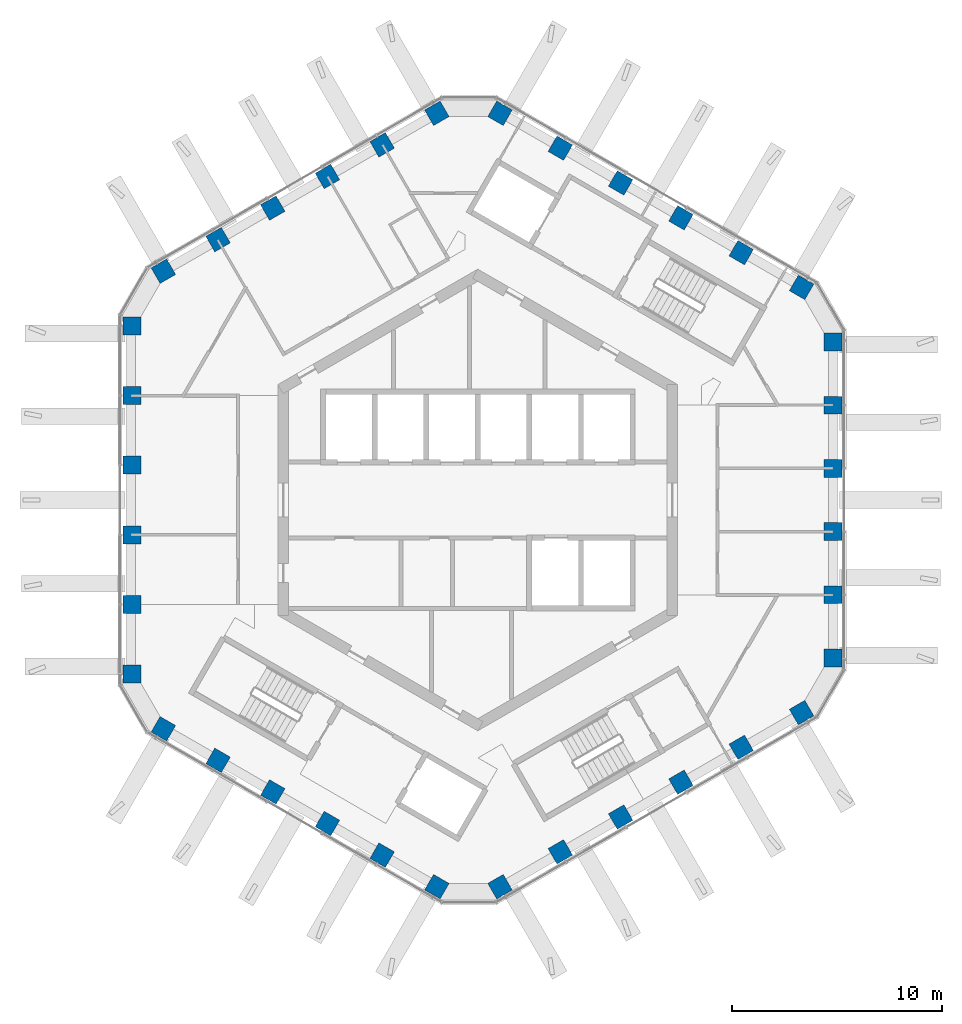
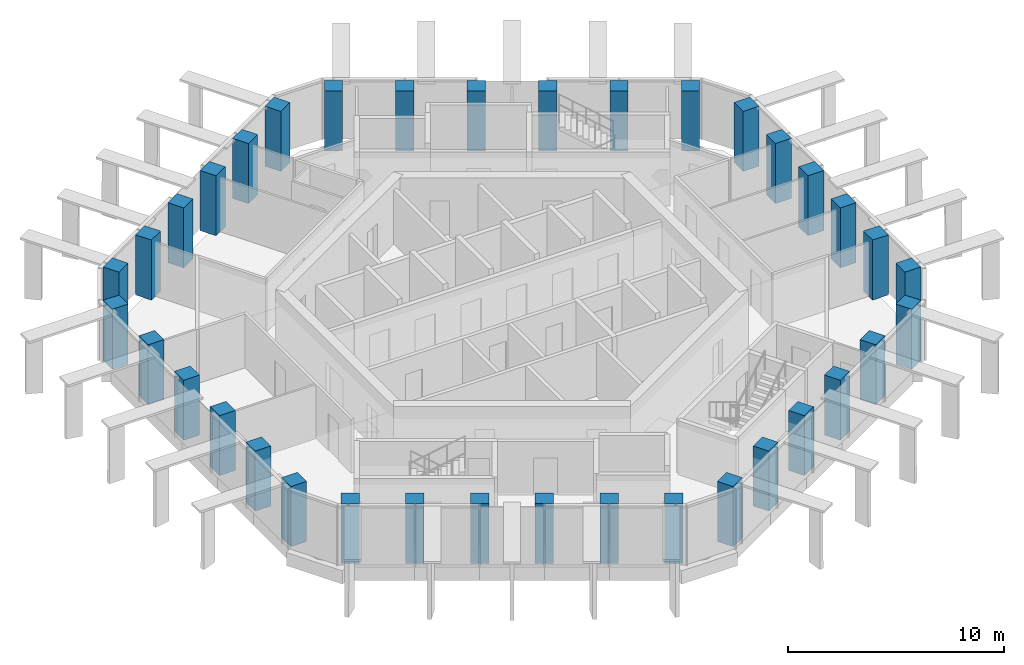
# One storey, part 1 of 18: 36 columns.
"""IFC4 building model written with IfcOpenShell, lengths in metres."""

from ifc_helpers import new_model, si_unit, direction, frame, origin, origin_2d, place, context, subcontext, project, spatial, rectangle, extrude, material, material_profile, profile_set, type_object, element, save


model = new_model("IFC4")

# Units and contexts
model_context = context("Model", 3, precision=1e-05, world=origin(), true_north=direction((0.0, 1.0)))
body_context = subcontext(model_context, "Body", "Model", "MODEL_VIEW")
ifc_project = project(units=[si_unit("LENGTHUNIT", "METRE"), si_unit("AREAUNIT", "SQUARE_METRE"), si_unit("VOLUMEUNIT", "CUBIC_METRE"), si_unit("PLANEANGLEUNIT", "RADIAN"), si_unit("MASSUNIT", "GRAM", prefix="KILO")], contexts=[model_context])

# Site, building, storey
site_placement = place(None, origin())
site = spatial("IfcSite", under=ifc_project, at=site_placement, CompositionType="ELEMENT")
building_placement = place(site_placement, origin())
building = spatial("IfcBuilding", under=site, at=building_placement, Name="Ayvan Gate Tower", CompositionType="ELEMENT")
storey_placement = place(building_placement, frame((0.0, 0.0, 242.699951171875)))
storey = spatial("IfcBuildingStorey", under=building, at=storey_placement, Name="L65", CompositionType="ELEMENT", Elevation=242.699951171875)

# Columns
ifc_material = material(Name="Concrete C50/60", Category="concrete")
ifc_material_profile = material_profile(ifc_material, rectangle(XDim=0.85009765625, YDim=0.85009765625, at=origin_2d()), Name="RC 850x850")
ifc_profile_set = profile_set([ifc_material_profile], Name="Concrete C50/60")
column_type = type_object("IfcColumnType", Name="Tube column RC 850x850 C50/60", PredefinedType="COLUMN", material=ifc_profile_set)
for number, where, z_axis, x_axis, name in (
    (1, (16.887451171875, -7.50390625, 0.0), (0.0, 0.0, 1.0), (1.0, 0.0, 0.0), "C-T0-0-L65"),
    (2, (16.887451171875, -4.50244140625, 0.0), (0.0, 0.0, 1.0), (1.0, 0.0, 0.0), "C-T0-1-L65"),
    (3, (16.887451171875, -1.500732421875, 0.0), (0.0, 0.0, 1.0), (1.0, 0.0, 0.0), "C-T0-2-L65"),
    (4, (16.887451171875, 1.500732421875, 0.0), (0.0, 0.0, 1.0), (1.0, 0.0, 0.0), "C-T0-3-L65"),
    (5, (16.887451171875, 4.50244140625, 0.0), (0.0, 0.0, 1.0), (1.0, 0.0, 0.0), "C-T0-4-L65"),
    (6, (16.887451171875, 7.50390625, 0.0), (0.0, 0.0, 1.0), (1.0, 0.0, 0.0), "C-T0-5-L65"),
    (7, (15.387451171875, 10.10205078125, 0.0), (0.0, 0.0, 1.0), (0.5, 0.866025403784, 0.0), "C-T1-0-L65"),
    (8, (12.52099609375, 11.757080078125, 0.0), (0.0, 0.0, 1.0), (0.5, 0.866025403784, 0.0), "C-T1-1-L65"),
    (9, (9.654541015625, 13.412109375, 0.0), (0.0, 0.0, 1.0), (0.5, 0.866025403784, 0.0), "C-T1-2-L65"),
    (10, (6.787841796875, 15.067138671875, 0.0), (0.0, 0.0, 1.0), (0.5, 0.866025403784, 0.0), "C-T1-3-L65"),
    (11, (3.92138671875, 16.721923828125, 0.0), (0.0, 0.0, 1.0), (0.5, 0.866025403784, 0.0), "C-T1-4-L65"),
    (12, (1.054931640625, 18.376953125, 0.0), (0.0, 0.0, 1.0), (0.5, 0.866025403784, 0.0), "C-T1-5-L65"),
    (13, (-1.945068359375, 18.376953125, 0.0), (0.0, 0.0, 1.0), (-0.5, 0.866025403784, 0.0), "C-T2-0-L65"),
    (14, (-4.544677734375, 16.876220703125, 0.0), (0.0, 0.0, 1.0), (-0.5, 0.866025403784, 0.0), "C-T2-1-L65"),
    (15, (-7.14404296875, 15.37548828125, 0.0), (0.0, 0.0, 1.0), (-0.5, 0.866025403784, 0.0), "C-T2-2-L65"),
    (16, (-9.743408203125, 13.87451171875, 0.0), (0.0, 0.0, 1.0), (-0.5, 0.866025403784, 0.0), "C-T2-3-L65"),
    (17, (-12.343017578125, 12.373779296875, 0.0), (0.0, 0.0, 1.0), (-0.5, 0.866025403784, 0.0), "C-T2-4-L65"),
    (18, (-14.9423828125, 10.873046875, 0.0), (0.0, 0.0, 1.0), (-0.5, 0.866025403784, 0.0), "C-T2-5-L65"),
    (19, (-16.4423828125, 8.27490234375, 0.0), (0.0, 0.0, 1.0), (-1.0, 0.0, 0.0), "C-T3-0-L65"),
    (20, (-16.4423828125, 4.96484375, 0.0), (0.0, 0.0, 1.0), (-1.0, 0.0, 0.0), "C-T3-1-L65"),
    (21, (-16.4423828125, 1.655029296875, 0.0), (0.0, 0.0, 1.0), (-1.0, 0.0, 0.0), "C-T3-2-L65"),
    (22, (-16.4423828125, -1.655029296875, 0.0), (0.0, 0.0, 1.0), (-1.0, 0.0, 0.0), "C-T3-3-L65"),
    (23, (-16.4423828125, -4.96484375, 0.0), (0.0, 0.0, 1.0), (-1.0, 0.0, 0.0), "C-T3-4-L65"),
    (24, (-16.4423828125, -8.27490234375, 0.0), (0.0, 0.0, 1.0), (-1.0, 0.0, 0.0), "C-T3-5-L65"),
    (25, (-14.9423828125, -10.873046875, 0.0), (0.0, 0.0, 1.0), (-0.5, -0.866025403784, 0.0), "C-T4-0-L65"),
    (26, (-12.343017578125, -12.373779296875, 0.0), (0.0, 0.0, 1.0), (-0.5, -0.866025403784, 0.0), "C-T4-1-L65"),
    (27, (-9.743408203125, -13.87451171875, 0.0), (0.0, 0.0, 1.0), (-0.5, -0.866025403784, 0.0), "C-T4-2-L65"),
    (28, (-7.14404296875, -15.37548828125, 0.0), (0.0, 0.0, 1.0), (-0.5, -0.866025403784, 0.0), "C-T4-3-L65"),
    (29, (-4.544677734375, -16.876220703125, 0.0), (0.0, 0.0, 1.0), (-0.5, -0.866025403784, 0.0), "C-T4-4-L65"),
    (30, (-1.945068359375, -18.376953125, 0.0), (0.0, 0.0, 1.0), (-0.5, -0.866025403784, 0.0), "C-T4-5-L65"),
    (31, (1.054931640625, -18.376953125, 0.0), (0.0, 0.0, 1.0), (0.5, -0.866025403784, 0.0), "C-T5-0-L65"),
    (32, (3.92138671875, -16.721923828125, 0.0), (0.0, 0.0, 1.0), (0.5, -0.866025403784, 0.0), "C-T5-1-L65"),
    (33, (6.787841796875, -15.067138671875, 0.0), (0.0, 0.0, 1.0), (0.5, -0.866025403784, 0.0), "C-T5-2-L65"),
    (34, (9.654541015625, -13.412109375, 0.0), (0.0, 0.0, 1.0), (0.5, -0.866025403784, 0.0), "C-T5-3-L65"),
    (35, (12.52099609375, -11.757080078125, 0.0), (0.0, 0.0, 1.0), (0.5, -0.866025403784, 0.0), "C-T5-4-L65"),
    (36, (15.387451171875, -10.10205078125, 0.0), (0.0, 0.0, 1.0), (0.5, -0.866025403784, 0.0), "C-T5-5-L65"),
):
    element("IfcColumn", number, at=place(storey_placement, frame(where, z_axis=z_axis, x_axis=x_axis)), inside=storey, type_object=column_type, Name=name, PredefinedType="COLUMN", context=body_context, shape_type="SweptSolid", body=[
        extrude(rectangle(XDim=0.85009765625, YDim=0.85009765625, at=origin_2d()), origin(), (0.0, 0.0, 1.0), 3.400146484375),
    ])

save(model, "model.ifc")
